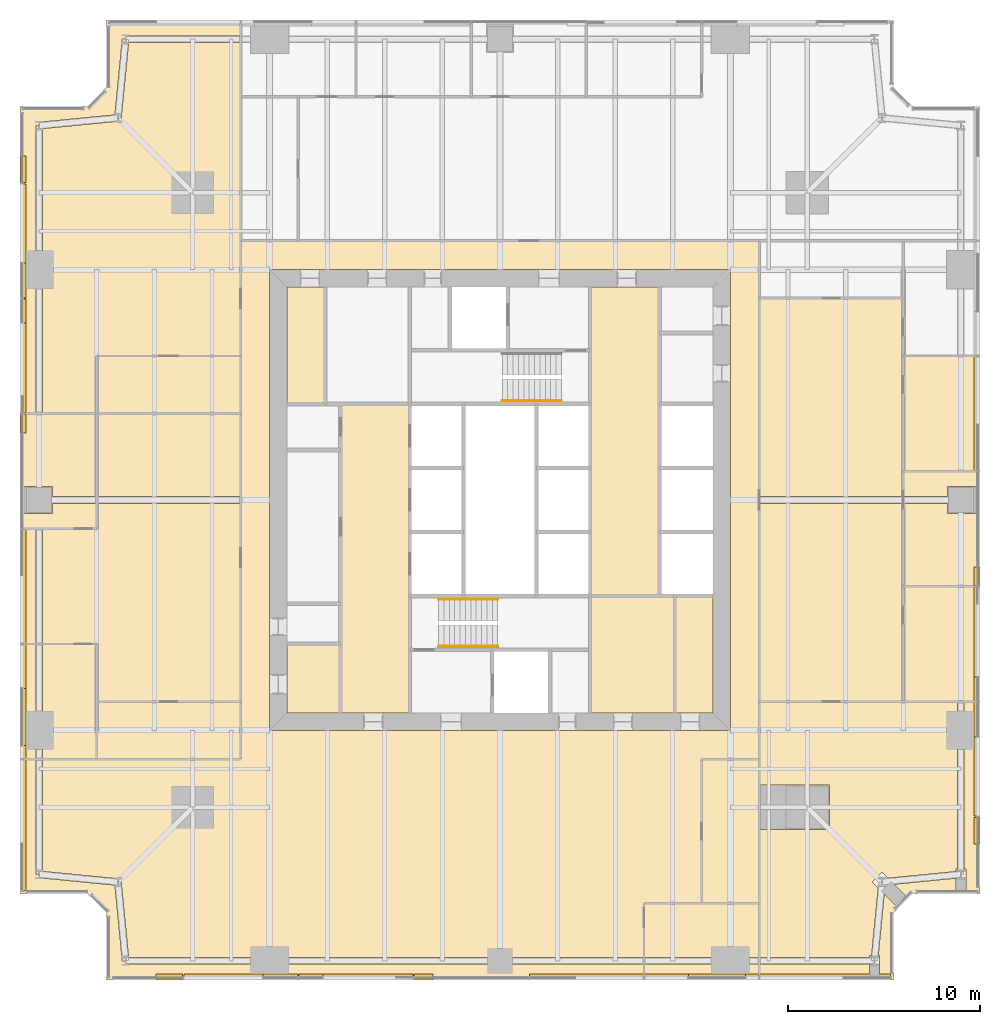
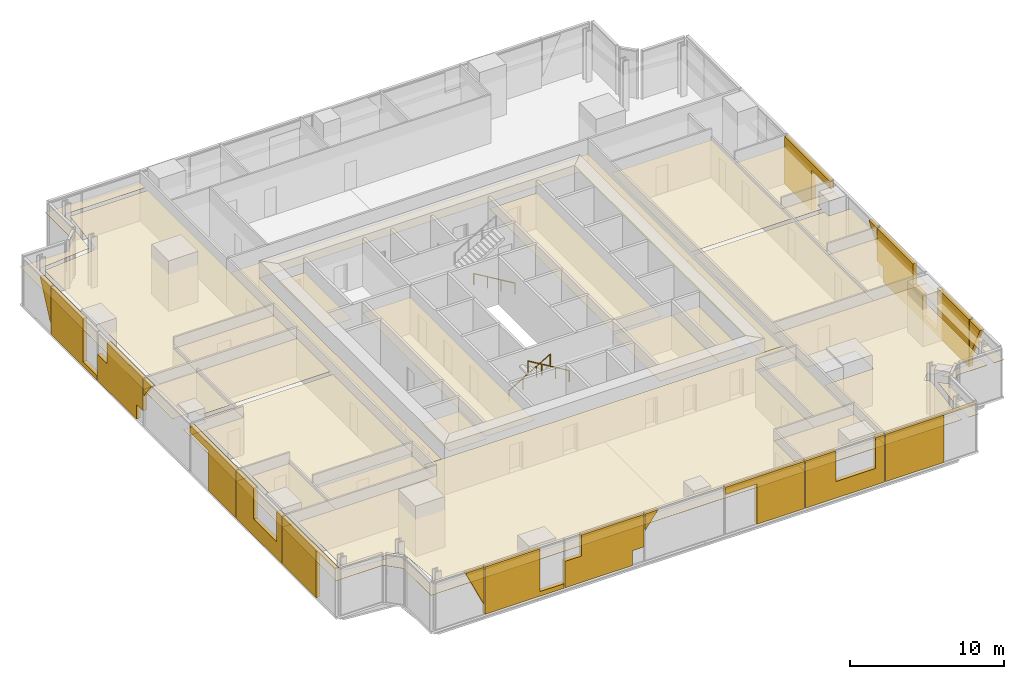
# One storey, part 13 of 14: 53 coverings, 3 railings.
"""IFC4 building model written with IfcOpenShell, lengths in metres."""

from ifc_helpers import new_model, si_unit, direction, frame, origin, origin_2d, place, context, subcontext, project, spatial, polyline, circle, outline, extrude, material, layer, layer_set, type_object, element, save


model = new_model("IFC4")

# Units and contexts
model_context = context("Model", 3, precision=1e-05, world=origin(), true_north=direction((0.0, 1.0)))
body_context = subcontext(model_context, "Body", "Model", "MODEL_VIEW")
ifc_project = project(units=[si_unit("LENGTHUNIT", "METRE"), si_unit("AREAUNIT", "SQUARE_METRE"), si_unit("VOLUMEUNIT", "CUBIC_METRE"), si_unit("PLANEANGLEUNIT", "RADIAN"), si_unit("MASSUNIT", "GRAM", prefix="KILO")], contexts=[model_context])

# Site, building, storey
site_placement = place(None, origin())
site = spatial("IfcSite", under=ifc_project, at=site_placement, CompositionType="ELEMENT")
building_placement = place(site_placement, origin())
building = spatial("IfcBuilding", under=site, at=building_placement, Name="Fenwick Lantern Interchange", CompositionType="ELEMENT")
storey_placement = place(building_placement, frame((0.0, 0.0, 134.39990234375)))
storey = spatial("IfcBuildingStorey", under=building, at=storey_placement, Name="L31", CompositionType="ELEMENT", Elevation=134.39990234375)

# Coverings
ifc_material_1 = material(Name="Mineral fibre acoustic tile on suspended grid")
ifc_layer_1 = layer(ifc_material_1, 0.02001953125)
ifc_layer_set_1 = layer_set([ifc_layer_1], Name="ACOUSTIC TILE CEILING 20")
covering_type_1 = type_object("IfcCoveringType", Name="ACOUSTIC TILE CEILING 20", PredefinedType="CEILING", material=ifc_layer_set_1)
covering_1_placement = place(storey_placement, frame((0.0, 0.0, 2.900146484375)))
element("IfcCovering", 1, at=covering_1_placement, inside=storey, type_object=covering_type_1, Name="Open office ceiling", PredefinedType="CEILING", context=body_context, shape_type="SweptSolid", body=[
    extrude(outline(polyline([(11.5, 11.5), (1.17236328125, 11.5), (1.17236328125, 5.656494140625), (5.11669921875, 5.271484375), (5.10009765625, 5.10009765625), (5.271484375, 5.11669921875), (5.656494140625, 1.17236328125), (13.0, 1.17236328125), (25.0, 1.17236328125), (32.5, 1.17236328125), (32.5, 4.0), (35.5, 4.0), (35.5, 11.5), (38.5, 11.5), (38.5, 13.0), (11.5, 13.0), (11.5, 11.5)])), origin(), (0.0, 0.0, 1.0), 0.02001953125),
])
covering_2_placement = place(storey_placement, frame((0.0, 0.0, 2.900146484375)))
element("IfcCovering", 2, at=covering_2_placement, inside=storey, type_object=covering_type_1, Name="Open office ceiling", PredefinedType="CEILING", context=body_context, shape_type="SweptSolid", body=[
    extrude(outline(polyline([(4.5, 3.5), (4.5, 0.0), (32.5, 0.0), (32.5, 0.82763671875), (25.0, 0.82763671875), (13.0, 0.82763671875), (5.5, 0.82763671875), (5.5, 1.0), (5.328369140625, 0.983154296875), (4.942138671875, 4.942138671875), (0.983154296875, 5.328369140625), (1.0, 5.5), (0.82763671875, 5.5), (0.82763671875, 11.5), (0.0, 11.5), (0.0, 4.5), (3.5, 4.5), (4.5, 3.5)])), origin(), (0.0, 0.0, 1.0), 0.02001953125),
])
covering_3_placement = place(storey_placement, frame((0.0, 0.0, 2.900146484375)))
element("IfcCovering", 3, at=covering_3_placement, inside=storey, type_object=covering_type_1, Name="Meeting room ceiling", PredefinedType="CEILING", context=body_context, shape_type="SweptSolid", body=[
    extrude(outline(polyline([(32.5, 4.0), (32.5, 1.17236328125), (37.0, 1.17236328125), (38.5, 1.17236328125), (38.5, 4.0), (32.5, 4.0)])), origin(), (0.0, 0.0, 1.0), 0.02001953125),
])
covering_4_placement = place(storey_placement, frame((0.0, 0.0, 2.900146484375)))
element("IfcCovering", 4, at=covering_4_placement, inside=storey, type_object=covering_type_1, Name="Meeting room ceiling", PredefinedType="CEILING", context=body_context, shape_type="SweptSolid", body=[
    extrude(outline(polyline([(38.5, 0.0), (38.5, 0.82763671875), (37.0, 0.82763671875), (32.5, 0.82763671875), (32.5, 0.0), (38.5, 0.0)])), origin(), (0.0, 0.0, 1.0), 0.02001953125),
])
covering_5_placement = place(storey_placement, frame((0.0, 0.0, 2.900146484375)))
element("IfcCovering", 5, at=covering_5_placement, inside=storey, type_object=covering_type_1, Name="Office suite ceiling", PredefinedType="CEILING", context=body_context, shape_type="SweptSolid", body=[
    extrude(outline(polyline([(38.5, 24.824951171875), (38.5, 14.5), (46.0, 14.5), (46.0, 24.824951171875), (38.5, 24.824951171875)])), origin(), (0.0, 0.0, 1.0), 0.02001953125),
])
covering_6_placement = place(storey_placement, frame((0.0, 0.0, 2.900146484375)))
element("IfcCovering", 6, at=covering_6_placement, inside=storey, type_object=covering_type_1, Name="Office suite ceiling", PredefinedType="CEILING", context=body_context, shape_type="SweptSolid", body=[
    extrude(outline(polyline([(38.5, 35.5), (38.5, 25.175048828125), (46.0, 25.175048828125), (46.0, 35.5), (38.5, 35.5)])), origin(), (0.0, 0.0, 1.0), 0.02001953125),
])
covering_7_placement = place(storey_placement, frame((0.0, 0.0, 2.900146484375)))
element("IfcCovering", 7, at=covering_7_placement, inside=storey, type_object=covering_type_1, Name="Office ceiling", PredefinedType="CEILING", context=body_context, shape_type="SweptSolid", body=[
    extrude(outline(polyline([(44.23779296875, 1.28759765625), (44.354736328125, 1.28759765625), (44.696044921875, 4.78369140625), (44.379638671875, 5.10009765625), (44.89990234375, 5.620361328125), (45.21630859375, 5.303955078125), (48.73779296875, 5.647705078125), (48.73779296875, 5.78759765625), (48.82763671875, 5.78759765625), (48.82763671875, 13.0), (48.82763671875, 14.5), (38.5, 14.5), (38.5, 10.14990234375), (42.14990234375, 10.14990234375), (42.14990234375, 7.85009765625), (38.5, 7.85009765625), (38.5, 1.17236328125), (44.23779296875, 1.17236328125), (44.23779296875, 1.28759765625)])), origin(), (0.0, 0.0, 1.0), 0.02001953125),
])
covering_8_placement = place(storey_placement, frame((0.0, 0.0, 2.900146484375)))
element("IfcCovering", 8, at=covering_8_placement, inside=storey, type_object=covering_type_1, Name="Office ceiling", PredefinedType="CEILING", context=body_context, shape_type="SweptSolid", body=[
    extrude(outline(polyline([(50.0, 14.5), (49.17236328125, 14.5), (49.17236328125, 13.0), (49.17236328125, 5.78759765625), (49.26220703125, 5.78759765625), (49.26220703125, 4.5), (50.0, 4.5), (50.0, 14.5)])), origin(), (0.0, 0.0, 1.0), 0.02001953125),
])
covering_9_placement = place(storey_placement, frame((0.0, 0.0, 2.900146484375)))
element("IfcCovering", 9, at=covering_9_placement, inside=storey, type_object=covering_type_1, Name="Office ceiling", PredefinedType="CEILING", context=body_context, shape_type="SweptSolid", body=[
    extrude(outline(polyline([(44.23779296875, 0.0), (44.23779296875, 0.82763671875), (38.5, 0.82763671875), (38.5, 0.0), (44.23779296875, 0.0)])), origin(), (0.0, 0.0, 1.0), 0.02001953125),
])
covering_10_placement = place(storey_placement, frame((0.0, 0.0, 2.900146484375)))
element("IfcCovering", 10, at=covering_10_placement, inside=storey, type_object=covering_type_1, Name="Office ceiling", PredefinedType="CEILING", context=body_context, shape_type="SweptSolid", body=[
    extrude(outline(polyline([(44.76220703125, 1.28759765625), (44.76220703125, 0.0), (45.5, 0.0), (45.5, 3.5), (45.73974609375, 3.73974609375), (45.011474609375, 4.468017578125), (44.701171875, 1.28759765625), (44.76220703125, 1.28759765625)])), origin(), (0.0, 0.0, 1.0), 0.02001953125),
])
covering_11_placement = place(storey_placement, frame((0.0, 0.0, 2.900146484375)))
element("IfcCovering", 11, at=covering_11_placement, inside=storey, type_object=covering_type_1, Name="Office ceiling", PredefinedType="CEILING", context=body_context, shape_type="SweptSolid", body=[
    extrude(outline(polyline([(48.73779296875, 4.5), (48.73779296875, 5.30126953125), (45.531982421875, 4.988525390625), (46.26025390625, 4.26025390625), (46.5, 4.5), (48.73779296875, 4.5)])), origin(), (0.0, 0.0, 1.0), 0.02001953125),
])
covering_12_placement = place(storey_placement, frame((0.0, 0.0, 2.8681640625)))
element("IfcCovering", 12, at=covering_12_placement, inside=storey, type_object=covering_type_1, Name="Office ceiling", PredefinedType="CEILING", context=body_context, shape_type="SweptSolid", body=[
    extrude(outline(polyline([(50.0, 14.5), (50.0, 20.5), (46.0, 20.5), (46.0, 14.5), (50.0, 14.5)])), origin(), (0.0, 0.0, 1.0), 0.02001953125),
])
covering_13_placement = place(storey_placement, frame((0.0, 0.0, 2.8681640625)))
element("IfcCovering", 13, at=covering_13_placement, inside=storey, type_object=covering_type_1, Name="Office ceiling", PredefinedType="CEILING", context=body_context, shape_type="SweptSolid", body=[
    extrude(outline(polyline([(46.0, 20.5), (50.0, 20.5), (50.0, 24.300048828125), (48.300048828125, 24.300048828125), (48.300048828125, 24.824951171875), (46.0, 24.824951171875), (46.0, 20.5)])), origin(), (0.0, 0.0, 1.0), 0.02001953125),
])
covering_14_placement = place(storey_placement, frame((0.0, 0.0, 2.8681640625)))
element("IfcCovering", 14, at=covering_14_placement, inside=storey, type_object=covering_type_1, Name="Office ceiling", PredefinedType="CEILING", context=body_context, shape_type="SweptSolid", body=[
    extrude(outline(polyline([(46.0, 26.5), (46.0, 25.175048828125), (48.300048828125, 25.175048828125), (48.300048828125, 25.699951171875), (50.0, 25.699951171875), (50.0, 26.5), (46.0, 26.5)])), origin(), (0.0, 0.0, 1.0), 0.02001953125),
])
covering_15_placement = place(storey_placement, frame((0.0, 0.0, 2.8681640625)))
element("IfcCovering", 15, at=covering_15_placement, inside=storey, type_object=covering_type_1, Name="Office ceiling", PredefinedType="CEILING", context=body_context, shape_type="SweptSolid", body=[
    extrude(outline(polyline([(50.0, 26.5), (50.0, 32.5), (46.0, 32.5), (46.0, 26.5), (50.0, 26.5)])), origin(), (0.0, 0.0, 1.0), 0.02001953125),
])
covering_16_placement = place(storey_placement, frame((0.0, 0.0, 2.900146484375)))
element("IfcCovering", 16, at=covering_16_placement, inside=storey, type_object=covering_type_1, Name="Office suite ceiling", PredefinedType="CEILING", context=body_context, shape_type="SweptSolid", body=[
    extrude(outline(polyline([(1.17236328125, 29.5), (4.0, 29.5), (4.0, 32.5), (11.5, 32.5), (11.5, 48.82763671875), (5.656494140625, 48.82763671875), (5.271484375, 44.88330078125), (5.10009765625, 44.89990234375), (5.11669921875, 44.728515625), (1.17236328125, 44.343505859375), (1.17236328125, 37.0), (1.17236328125, 29.5)])), origin(), (0.0, 0.0, 1.0), 0.02001953125),
])
covering_17_placement = place(storey_placement, frame((0.0, 0.0, 2.900146484375)))
element("IfcCovering", 17, at=covering_17_placement, inside=storey, type_object=covering_type_1, Name="Office suite ceiling", PredefinedType="CEILING", context=body_context, shape_type="SweptSolid", body=[
    extrude(outline(polyline([(0.0, 29.5), (0.82763671875, 29.5), (0.82763671875, 37.0), (0.82763671875, 44.5), (1.0, 44.5), (0.983154296875, 44.671630859375), (4.942138671875, 45.057861328125), (5.328369140625, 49.016845703125), (5.5, 49.0), (5.5, 49.17236328125), (11.5, 49.17236328125), (11.5, 50.0), (4.5, 50.0), (4.5, 46.5), (3.5, 45.5), (0.0, 45.5), (0.0, 29.5)])), origin(), (0.0, 0.0, 1.0), 0.02001953125),
])
covering_18_placement = place(storey_placement, frame((0.0, 0.0, 2.900146484375)))
element("IfcCovering", 18, at=covering_18_placement, inside=storey, type_object=covering_type_1, Name="Meeting room ceiling", PredefinedType="CEILING", context=body_context, shape_type="SweptSolid", body=[
    extrude(outline(polyline([(4.0, 32.5), (4.0, 29.5), (11.5, 29.5), (11.5, 32.5), (4.0, 32.5)])), origin(), (0.0, 0.0, 1.0), 0.02001953125),
])
covering_19_placement = place(storey_placement, frame((0.0, 0.0, 2.900146484375)))
element("IfcCovering", 19, at=covering_19_placement, inside=storey, type_object=covering_type_1, Name="Office suite ceiling", PredefinedType="CEILING", context=body_context, shape_type="SweptSolid", body=[
    extrude(outline(polyline([(4.0, 23.5), (1.17236328125, 23.5), (1.17236328125, 17.5), (4.0, 17.5), (4.0, 14.5), (11.5, 14.5), (11.5, 24.824951171875), (4.0, 24.824951171875), (4.0, 23.5)])), origin(), (0.0, 0.0, 1.0), 0.02001953125),
])
covering_20_placement = place(storey_placement, frame((0.0, 0.0, 2.900146484375)))
element("IfcCovering", 20, at=covering_20_placement, inside=storey, type_object=covering_type_1, Name="Office suite ceiling", PredefinedType="CEILING", context=body_context, shape_type="SweptSolid", body=[
    extrude(outline(polyline([(4.0, 29.5), (4.0, 25.175048828125), (11.5, 25.175048828125), (11.5, 29.5), (4.0, 29.5)])), origin(), (0.0, 0.0, 1.0), 0.02001953125),
])
covering_21_placement = place(storey_placement, frame((0.0, 0.0, 2.900146484375)))
element("IfcCovering", 21, at=covering_21_placement, inside=storey, type_object=covering_type_1, Name="Office suite ceiling", PredefinedType="CEILING", context=body_context, shape_type="SweptSolid", body=[
    extrude(outline(polyline([(0.0, 23.5), (0.0, 17.5), (0.82763671875, 17.5), (0.82763671875, 23.5), (0.0, 23.5)])), origin(), (0.0, 0.0, 1.0), 0.02001953125),
])
covering_22_placement = place(storey_placement, frame((0.0, 0.0, 2.8681640625)))
element("IfcCovering", 22, at=covering_22_placement, inside=storey, type_object=covering_type_1, Name="Office ceiling", PredefinedType="CEILING", context=body_context, shape_type="SweptSolid", body=[
    extrude(outline(polyline([(4.0, 29.5), (0.0, 29.5), (0.0, 25.699951171875), (1.699951171875, 25.699951171875), (1.699951171875, 25.175048828125), (4.0, 25.175048828125), (4.0, 29.5)])), origin(), (0.0, 0.0, 1.0), 0.02001953125),
])
covering_23_placement = place(storey_placement, frame((0.0, 0.0, 2.8681640625)))
element("IfcCovering", 23, at=covering_23_placement, inside=storey, type_object=covering_type_1, Name="Office ceiling", PredefinedType="CEILING", context=body_context, shape_type="SweptSolid", body=[
    extrude(outline(polyline([(4.0, 23.5), (4.0, 24.824951171875), (1.699951171875, 24.824951171875), (1.699951171875, 24.300048828125), (0.0, 24.300048828125), (0.0, 23.5), (4.0, 23.5)])), origin(), (0.0, 0.0, 1.0), 0.02001953125),
])
covering_24_placement = place(storey_placement, frame((0.0, 0.0, 2.900146484375)))
element("IfcCovering", 24, at=covering_24_placement, inside=storey, type_object=covering_type_1, Name="Office ceiling", PredefinedType="CEILING", context=body_context, shape_type="SweptSolid", body=[
    extrude(outline(polyline([(4.0, 17.5), (1.17236328125, 17.5), (1.17236328125, 13.0), (1.17236328125, 11.5), (4.0, 11.5), (4.0, 17.5)])), origin(), (0.0, 0.0, 1.0), 0.02001953125),
])
covering_25_placement = place(storey_placement, frame((0.0, 0.0, 2.900146484375)))
element("IfcCovering", 25, at=covering_25_placement, inside=storey, type_object=covering_type_1, Name="Office ceiling", PredefinedType="CEILING", context=body_context, shape_type="SweptSolid", body=[
    extrude(outline(polyline([(0.0, 11.5), (0.82763671875, 11.5), (0.82763671875, 13.0), (0.82763671875, 17.5), (0.0, 17.5), (0.0, 11.5)])), origin(), (0.0, 0.0, 1.0), 0.02001953125),
])
ifc_material_2 = material(Name="Granite cladding, warm grey flamed finish, on aluminium carrier frame", Category="masonry")
ifc_layer_2 = layer(ifc_material_2, 0.300048828125)
ifc_layer_set_2 = layer_set([ifc_layer_2], Name="BRACE CASING PANEL 300")
covering_type_2 = type_object("IfcCoveringType", Name="BRACE CASING PANEL 300", PredefinedType="CLADDING", material=ifc_layer_set_2)
covering_26_placement = place(storey_placement, frame((4.60009765625, 0.10009765625, 0.822509765625), z_axis=(0.0, 0.0, 1.0), x_axis=(1.0, 0.0, 0.0)))
element("IfcCovering", 26, at=covering_26_placement, inside=storey, type_object=covering_type_2, Name="Brace casing 01 bay 00a", PredefinedType="CLADDING", context=body_context, shape_type="SweptSolid", body=[
    extrude(outline(polyline([(3.867431640625, 0.0), (3.867431640625, 2.927490234375), (2.4951171875, 2.927490234375), (3.867431640625, 0.0)])), frame((0.0, 0.2001953125, 0.0), z_axis=(0.0, -1.0, 0.0), x_axis=(1.0, 0.0, 0.0)), (0.0, 0.0, 1.0), 0.300048828125),
])
covering_27_placement = place(storey_placement, frame((4.60009765625, 0.10009765625, 0.0), z_axis=(0.0, 0.0, 1.0), x_axis=(1.0, 0.0, 0.0)))
element("IfcCovering", 27, at=covering_27_placement, inside=storey, type_object=covering_type_2, Name="Brace casing 01 bay 01a", PredefinedType="CLADDING", context=body_context, shape_type="SweptSolid", body=[
    extrude(outline(polyline([(3.9326171875, 0.0), (9.867431640625, 0.0), (9.867431640625, 0.358154296875), (8.06103515625, 0.358154296875), (8.06103515625, 3.75), (3.9326171875, 3.75), (3.9326171875, 0.0)])), frame((0.0, 0.2001953125, 0.0), z_axis=(0.0, -1.0, 0.0), x_axis=(1.0, 0.0, 0.0)), (0.0, 0.0, 1.0), 0.300048828125),
])
covering_28_placement = place(storey_placement, frame((4.60009765625, 0.10009765625, 0.0), z_axis=(0.0, 0.0, 1.0), x_axis=(1.0, 0.0, 0.0)))
element("IfcCovering", 28, at=covering_28_placement, inside=storey, type_object=covering_type_2, Name="Brace casing 01 bay 02a", PredefinedType="CLADDING", context=body_context, shape_type="SweptSolid", body=[
    extrude(outline(polyline([(9.9326171875, 0.0), (14.984375, 0.0), (14.984375, 1.17333984375), (15.867431640625, 1.17333984375), (15.867431640625, 3.75), (11.172607421875, 3.75), (11.172607421875, 2.0908203125), (9.9326171875, 2.0908203125), (9.9326171875, 0.0)])), frame((0.0, 0.2001953125, 0.0), z_axis=(0.0, -1.0, 0.0), x_axis=(1.0, 0.0, 0.0)), (0.0, 0.0, 1.0), 0.300048828125),
])
covering_29_placement = place(storey_placement, frame((4.60009765625, 0.10009765625, 2.4375), z_axis=(0.0, 0.0, 1.0), x_axis=(1.0, 0.0, 0.0)))
element("IfcCovering", 29, at=covering_29_placement, inside=storey, type_object=covering_type_2, Name="Brace casing 01 bay 03a", PredefinedType="CLADDING", context=body_context, shape_type="SweptSolid", body=[
    extrude(outline(polyline([(15.9326171875, 0.0), (16.9169921875, 1.3125), (15.9326171875, 1.3125), (15.9326171875, 0.0)])), frame((0.0, 0.2001953125, 0.0), z_axis=(0.0, -1.0, 0.0), x_axis=(1.0, 0.0, 0.0)), (0.0, 0.0, 1.0), 0.300048828125),
])
covering_30_placement = place(storey_placement, frame((4.60009765625, 0.10009765625, 0.0), z_axis=(0.0, 0.0, 1.0), x_axis=(1.0, 0.0, 0.0)))
element("IfcCovering", 30, at=covering_30_placement, inside=storey, type_object=covering_type_2, Name="Brace casing 01 bay 04a", PredefinedType="CLADDING", context=body_context, shape_type="SweptSolid", body=[
    extrude(outline(polyline([(24.3125, 0.0), (27.867431640625, 0.0), (27.867431640625, 3.75), (21.9326171875, 3.75), (21.9326171875, 3.177490234375), (24.3125, 3.177490234375), (24.3125, 0.0)])), frame((0.0, 0.2001953125, 0.0), z_axis=(0.0, -1.0, 0.0), x_axis=(1.0, 0.0, 0.0)), (0.0, 0.0, 1.0), 0.300048828125),
])
covering_31_placement = place(storey_placement, frame((4.60009765625, 0.10009765625, 0.0), z_axis=(0.0, 0.0, 1.0), x_axis=(1.0, 0.0, 0.0)))
element("IfcCovering", 31, at=covering_31_placement, inside=storey, type_object=covering_type_2, Name="Brace casing 01 bay 05a", PredefinedType="CLADDING", context=body_context, shape_type="SweptSolid", body=[
    extrude(outline(polyline([(27.9326171875, 0.0), (33.867431640625, 0.0), (33.867431640625, 3.75), (33.18798828125, 3.75), (33.18798828125, 1.316650390625), (30.2080078125, 1.316650390625), (30.2080078125, 3.75), (27.9326171875, 3.75), (27.9326171875, 0.0)])), frame((0.0, 0.2001953125, 0.0), z_axis=(0.0, -1.0, 0.0), x_axis=(1.0, 0.0, 0.0)), (0.0, 0.0, 1.0), 0.300048828125),
])
covering_32_placement = place(storey_placement, frame((4.60009765625, 0.10009765625, 0.0), z_axis=(0.0, 0.0, 1.0), x_axis=(1.0, 0.0, 0.0)))
element("IfcCovering", 32, at=covering_32_placement, inside=storey, type_object=covering_type_2, Name="Brace casing 01 bay 06a", PredefinedType="CLADDING", context=body_context, shape_type="SweptSolid", body=[
    extrude(outline(polyline([(33.9326171875, 0.0), (38.302001953125, 0.0), (38.302001953125, 3.744140625), (40.735107421875, 3.744140625), (40.735107421875, 3.75), (33.9326171875, 3.75), (33.9326171875, 0.0)])), frame((0.0, 0.2001953125, 0.0), z_axis=(0.0, -1.0, 0.0), x_axis=(1.0, 0.0, 0.0)), (0.0, 0.0, 1.0), 0.300048828125),
])
covering_33_placement = place(storey_placement, frame((49.89990234375, 4.60009765625, 0.822509765625), z_axis=(0.0, 0.0, 1.0), x_axis=(0.0, 1.0, 0.0)))
element("IfcCovering", 33, at=covering_33_placement, inside=storey, type_object=covering_type_2, Name="Brace casing 05 bay 00a", PredefinedType="CLADDING", context=body_context, shape_type="SweptSolid", body=[
    extrude(outline(polyline([(3.867431640625, 0.0), (3.867431640625, 2.927490234375), (2.4951171875, 2.927490234375), (3.867431640625, 0.0)])), frame((0.0, 0.2001953125, 0.0), z_axis=(0.0, -1.0, 0.0), x_axis=(1.0, 0.0, 0.0)), (0.0, 0.0, 1.0), 0.300048828125),
])
covering_34_placement = place(storey_placement, frame((49.89990234375, 4.60009765625, 0.0), z_axis=(0.0, 0.0, 1.0), x_axis=(0.0, 1.0, 0.0)))
element("IfcCovering", 34, at=covering_34_placement, inside=storey, type_object=covering_type_2, Name="Brace casing 05 bay 01a", PredefinedType="CLADDING", context=body_context, shape_type="SweptSolid", body=[
    extrude(outline(polyline([(3.9326171875, 0.0), (9.867431640625, 0.0), (9.867431640625, 0.358154296875), (8.06103515625, 0.358154296875), (8.06103515625, 3.75), (3.9326171875, 3.75), (3.9326171875, 0.0)])), frame((0.0, 0.2001953125, 0.0), z_axis=(0.0, -1.0, 0.0), x_axis=(1.0, 0.0, 0.0)), (0.0, 0.0, 1.0), 0.300048828125),
])
covering_35_placement = place(storey_placement, frame((49.89990234375, 4.60009765625, 0.0), z_axis=(0.0, 0.0, 1.0), x_axis=(0.0, 1.0, 0.0)))
element("IfcCovering", 35, at=covering_35_placement, inside=storey, type_object=covering_type_2, Name="Brace casing 05 bay 02a", PredefinedType="CLADDING", context=body_context, shape_type="SweptSolid", body=[
    extrude(outline(polyline([(9.9326171875, 0.0), (14.984375, 0.0), (14.984375, 1.17333984375), (15.867431640625, 1.17333984375), (15.867431640625, 3.75), (11.172607421875, 3.75), (11.172607421875, 2.0908203125), (9.9326171875, 2.0908203125), (9.9326171875, 0.0)])), frame((0.0, 0.2001953125, 0.0), z_axis=(0.0, -1.0, 0.0), x_axis=(1.0, 0.0, 0.0)), (0.0, 0.0, 1.0), 0.300048828125),
])
covering_36_placement = place(storey_placement, frame((49.89990234375, 4.60009765625, 2.4375), z_axis=(0.0, 0.0, 1.0), x_axis=(0.0, 1.0, 0.0)))
element("IfcCovering", 36, at=covering_36_placement, inside=storey, type_object=covering_type_2, Name="Brace casing 05 bay 03a", PredefinedType="CLADDING", context=body_context, shape_type="SweptSolid", body=[
    extrude(outline(polyline([(15.9326171875, 0.0), (16.9169921875, 1.3125), (15.9326171875, 1.3125), (15.9326171875, 0.0)])), frame((0.0, 0.2001953125, 0.0), z_axis=(0.0, -1.0, 0.0), x_axis=(1.0, 0.0, 0.0)), (0.0, 0.0, 1.0), 0.300048828125),
])
covering_37_placement = place(storey_placement, frame((49.89990234375, 4.60009765625, 0.0), z_axis=(0.0, 0.0, 1.0), x_axis=(0.0, 1.0, 0.0)))
element("IfcCovering", 37, at=covering_37_placement, inside=storey, type_object=covering_type_2, Name="Brace casing 05 bay 04a", PredefinedType="CLADDING", context=body_context, shape_type="SweptSolid", body=[
    extrude(outline(polyline([(24.3125, 0.0), (27.867431640625, 0.0), (27.867431640625, 3.75), (21.9326171875, 3.75), (21.9326171875, 3.177490234375), (24.3125, 3.177490234375), (24.3125, 0.0)])), frame((0.0, 0.2001953125, 0.0), z_axis=(0.0, -1.0, 0.0), x_axis=(1.0, 0.0, 0.0)), (0.0, 0.0, 1.0), 0.300048828125),
])
covering_38_placement = place(storey_placement, frame((0.10009765625, 45.39990234375, 0.822509765625), z_axis=(0.0, 0.0, 1.0), x_axis=(0.0, -1.0, 0.0)))
element("IfcCovering", 38, at=covering_38_placement, inside=storey, type_object=covering_type_2, Name="Brace casing 13 bay 00a", PredefinedType="CLADDING", context=body_context, shape_type="SweptSolid", body=[
    extrude(outline(polyline([(3.867431640625, 0.0), (3.867431640625, 2.927490234375), (2.4951171875, 2.927490234375), (3.867431640625, 0.0)])), frame((0.0, 0.2001953125, 0.0), z_axis=(0.0, -1.0, 0.0), x_axis=(1.0, 0.0, 0.0)), (0.0, 0.0, 1.0), 0.300048828125),
])
covering_39_placement = place(storey_placement, frame((0.10009765625, 45.39990234375, 0.0), z_axis=(0.0, 0.0, 1.0), x_axis=(0.0, -1.0, 0.0)))
element("IfcCovering", 39, at=covering_39_placement, inside=storey, type_object=covering_type_2, Name="Brace casing 13 bay 01a", PredefinedType="CLADDING", context=body_context, shape_type="SweptSolid", body=[
    extrude(outline(polyline([(3.9326171875, 0.0), (9.867431640625, 0.0), (9.867431640625, 0.358154296875), (8.06103515625, 0.358154296875), (8.06103515625, 3.75), (3.9326171875, 3.75), (3.9326171875, 0.0)])), frame((0.0, 0.2001953125, 0.0), z_axis=(0.0, -1.0, 0.0), x_axis=(1.0, 0.0, 0.0)), (0.0, 0.0, 1.0), 0.300048828125),
])
covering_40_placement = place(storey_placement, frame((0.10009765625, 45.39990234375, 0.0), z_axis=(0.0, 0.0, 1.0), x_axis=(0.0, -1.0, 0.0)))
element("IfcCovering", 40, at=covering_40_placement, inside=storey, type_object=covering_type_2, Name="Brace casing 13 bay 02a", PredefinedType="CLADDING", context=body_context, shape_type="SweptSolid", body=[
    extrude(outline(polyline([(9.9326171875, 0.0), (14.984375, 0.0), (14.984375, 1.17333984375), (15.867431640625, 1.17333984375), (15.867431640625, 3.75), (11.172607421875, 3.75), (11.172607421875, 2.0908203125), (9.9326171875, 2.0908203125), (9.9326171875, 0.0)])), frame((0.0, 0.2001953125, 0.0), z_axis=(0.0, -1.0, 0.0), x_axis=(1.0, 0.0, 0.0)), (0.0, 0.0, 1.0), 0.300048828125),
])
covering_41_placement = place(storey_placement, frame((0.10009765625, 45.39990234375, 2.4375), z_axis=(0.0, 0.0, 1.0), x_axis=(0.0, -1.0, 0.0)))
element("IfcCovering", 41, at=covering_41_placement, inside=storey, type_object=covering_type_2, Name="Brace casing 13 bay 03a", PredefinedType="CLADDING", context=body_context, shape_type="SweptSolid", body=[
    extrude(outline(polyline([(15.9326171875, 0.0), (16.9169921875, 1.3125), (15.9326171875, 1.3125), (15.9326171875, 0.0)])), frame((0.0, 0.2001953125, 0.0), z_axis=(0.0, -1.0, 0.0), x_axis=(1.0, 0.0, 0.0)), (0.0, 0.0, 1.0), 0.300048828125),
])
covering_42_placement = place(storey_placement, frame((0.10009765625, 45.39990234375, 0.0), z_axis=(0.0, 0.0, 1.0), x_axis=(0.0, -1.0, 0.0)))
element("IfcCovering", 42, at=covering_42_placement, inside=storey, type_object=covering_type_2, Name="Brace casing 13 bay 04a", PredefinedType="CLADDING", context=body_context, shape_type="SweptSolid", body=[
    extrude(outline(polyline([(24.3125, 0.0), (27.867431640625, 0.0), (27.867431640625, 3.75), (21.9326171875, 3.75), (21.9326171875, 3.177490234375), (24.3125, 3.177490234375), (24.3125, 0.0)])), frame((0.0, 0.2001953125, 0.0), z_axis=(0.0, -1.0, 0.0), x_axis=(1.0, 0.0, 0.0)), (0.0, 0.0, 1.0), 0.300048828125),
])
covering_43_placement = place(storey_placement, frame((0.10009765625, 45.39990234375, 0.0), z_axis=(0.0, 0.0, 1.0), x_axis=(0.0, -1.0, 0.0)))
element("IfcCovering", 43, at=covering_43_placement, inside=storey, type_object=covering_type_2, Name="Brace casing 13 bay 05a", PredefinedType="CLADDING", context=body_context, shape_type="SweptSolid", body=[
    extrude(outline(polyline([(27.9326171875, 0.0), (33.867431640625, 0.0), (33.867431640625, 3.75), (33.18798828125, 3.75), (33.18798828125, 1.316650390625), (30.2080078125, 1.316650390625), (30.2080078125, 3.75), (27.9326171875, 3.75), (27.9326171875, 0.0)])), frame((0.0, 0.2001953125, 0.0), z_axis=(0.0, -1.0, 0.0), x_axis=(1.0, 0.0, 0.0)), (0.0, 0.0, 1.0), 0.300048828125),
])
covering_44_placement = place(storey_placement, frame((0.10009765625, 45.39990234375, 0.0), z_axis=(0.0, 0.0, 1.0), x_axis=(0.0, -1.0, 0.0)))
element("IfcCovering", 44, at=covering_44_placement, inside=storey, type_object=covering_type_2, Name="Brace casing 13 bay 06a", PredefinedType="CLADDING", context=body_context, shape_type="SweptSolid", body=[
    extrude(outline(polyline([(33.9326171875, 0.0), (38.302001953125, 0.0), (38.302001953125, 3.744140625), (40.735107421875, 3.744140625), (40.735107421875, 3.75), (33.9326171875, 3.75), (33.9326171875, 0.0)])), frame((0.0, 0.2001953125, 0.0), z_axis=(0.0, -1.0, 0.0), x_axis=(1.0, 0.0, 0.0)), (0.0, 0.0, 1.0), 0.300048828125),
])

# Railings
ifc_material_3 = material(Name="Stainless steel handrail", Category="steel")
railing_type = type_object("IfcRailingType", Name="HANDRAIL 900", PredefinedType="HANDRAIL", material=ifc_material_3)
railing_placement = place(storey_placement, frame((21.800048828125, 19.825927734375, 0.166748046875)))
element("IfcRailing", 45, at=railing_placement, inside=storey, type_object=railing_type, Name="L31/STAIR/ST1/HR1", PredefinedType="HANDRAIL", context=body_context, shape_type="SweptSolid", body=[
    extrude(circle(Radius=0.02392578125, at=origin_2d()), frame((0.0, 0.0, 0.8759765625), z_axis=(0.859290745958, 0.0, 0.51148745235), x_axis=(0.0, 1.0, 0.0)), (0.0, 0.0, 1.0), 3.584228515625),
    extrude(circle(Radius=0.02099609375, at=origin_2d()), origin(), (0.0, 0.0, 1.0), 0.851806640625),
    extrude(circle(Radius=0.02099609375, at=origin_2d()), frame((1.026611328125, 0.0, 0.611083984375)), (0.0, 0.0, 1.0), 0.851806640625),
    extrude(circle(Radius=0.02099609375, at=origin_2d()), frame((2.05322265625, 0.0, 1.22216796875)), (0.0, 0.0, 1.0), 0.851806640625),
    extrude(circle(Radius=0.02099609375, at=origin_2d()), frame((3.079833984375, 0.0, 1.833251953125)), (0.0, 0.0, 1.0), 0.851806640625),
])
for number, where, name in (
    (46, (24.8798828125, 17.3740234375, 2.166748046875), "L31/STAIR/ST1/HR2"),
    (47, (28.199951171875, 30.174072265625, 0.166748046875), "L31/STAIR/ST2/HR1"),
):
    element("IfcRailing", number, at=place(storey_placement, frame(where)), inside=storey, type_object=railing_type, Name=name, PredefinedType="HANDRAIL", context=body_context, shape_type="SweptSolid", body=[
        extrude(circle(Radius=0.02392578125, at=origin_2d()), frame((0.0, 0.0, 0.8759765625), z_axis=(-0.859290745958, 0.0, 0.51148745235), x_axis=(0.0, -1.0, 0.0)), (0.0, 0.0, 1.0), 3.584228515625),
        extrude(circle(Radius=0.02099609375, at=origin_2d()), origin(), (0.0, 0.0, 1.0), 0.851806640625),
        extrude(circle(Radius=0.02099609375, at=origin_2d()), frame((-1.026611328125, 0.0, 0.611083984375)), (0.0, 0.0, 1.0), 0.851806640625),
        extrude(circle(Radius=0.02099609375, at=origin_2d()), frame((-2.05322265625, 0.0, 1.22216796875)), (0.0, 0.0, 1.0), 0.851806640625),
        extrude(circle(Radius=0.02099609375, at=origin_2d()), frame((-3.079833984375, 0.0, 1.833251953125)), (0.0, 0.0, 1.0), 0.851806640625),
    ])

# Coverings
ifc_material_4 = material(Name="Moisture resistant gypsum board on suspended frame, painted")
ifc_layer_3 = layer(ifc_material_4, 0.014892578125)
ifc_layer_set_3 = layer_set([ifc_layer_3], Name="MOISTURE RESISTANT CEILING 15")
covering_type_3 = type_object("IfcCoveringType", Name="MOISTURE RESISTANT CEILING 15", PredefinedType="CEILING", material=ifc_layer_set_3)
covering_45_placement = place(storey_placement, frame((0.0, 0.0, 2.60009765625)))
element("IfcCovering", 48, at=covering_45_placement, inside=storey, type_object=covering_type_3, Name="Women's WC ceiling", PredefinedType="CEILING", context=body_context, shape_type="SweptSolid", body=[
    extrude(outline(polyline([(29.699951171875, 13.89990234375), (34.10009765625, 13.89990234375), (34.10009765625, 20.0), (29.699951171875, 20.0), (29.699951171875, 13.89990234375)])), origin(), (0.0, 0.0, 1.0), 0.014892578125),
])
covering_46_placement = place(storey_placement, frame((0.0, 0.0, 2.60009765625)))
element("IfcCovering", 49, at=covering_46_placement, inside=storey, type_object=covering_type_3, Name="Men's WC ceiling", PredefinedType="CEILING", context=body_context, shape_type="SweptSolid", body=[
    extrude(outline(polyline([(34.10009765625, 13.89990234375), (36.10009765625, 13.89990234375), (36.10009765625, 20.0), (34.10009765625, 20.0), (34.10009765625, 13.89990234375)])), origin(), (0.0, 0.0, 1.0), 0.014892578125),
])
covering_47_placement = place(storey_placement, frame((0.0, 0.0, 2.60009765625)))
element("IfcCovering", 50, at=covering_47_placement, inside=storey, type_object=covering_type_3, Name="Accessible WC and shower ceiling", PredefinedType="CEILING", context=body_context, shape_type="SweptSolid", body=[
    extrude(outline(polyline([(13.89990234375, 13.89990234375), (16.699951171875, 13.89990234375), (16.699951171875, 17.5), (13.89990234375, 17.5), (13.89990234375, 13.89990234375)])), origin(), (0.0, 0.0, 1.0), 0.014892578125),
])
covering_48_placement = place(storey_placement, frame((0.0, 0.0, 2.60009765625)))
element("IfcCovering", 51, at=covering_48_placement, inside=storey, type_object=covering_type_3, Name="Men's WC ceiling", PredefinedType="CEILING", context=body_context, shape_type="SweptSolid", body=[
    extrude(outline(polyline([(15.89990234375, 36.10009765625), (13.89990234375, 36.10009765625), (13.89990234375, 30.0), (15.89990234375, 30.0), (15.89990234375, 36.10009765625)])), origin(), (0.0, 0.0, 1.0), 0.014892578125),
])
covering_49_placement = place(storey_placement, frame((0.0, 0.0, 2.7001953125)))
element("IfcCovering", 52, at=covering_49_placement, inside=storey, type_object=covering_type_3, Name="Pantry ceiling", PredefinedType="CEILING", context=body_context, shape_type="SweptSolid", body=[
    extrude(outline(polyline([(35.5, 4.0), (38.5, 4.0), (38.5, 11.5), (35.5, 11.5), (35.5, 4.0)])), origin(), (0.0, 0.0, 1.0), 0.014892578125),
])
covering_50_placement = place(storey_placement, frame((0.0, 0.0, 2.7001953125)))
element("IfcCovering", 53, at=covering_50_placement, inside=storey, type_object=covering_type_3, Name="Pantry ceiling", PredefinedType="CEILING", context=body_context, shape_type="SweptSolid", body=[
    extrude(outline(polyline([(4.0, 14.5), (4.0, 11.5), (11.5, 11.5), (11.5, 14.5), (4.0, 14.5)])), origin(), (0.0, 0.0, 1.0), 0.014892578125),
])
ifc_material_5 = material(Name="Gypsum plasterboard on suspended frame, painted")
ifc_layer_4 = layer(ifc_material_5, 0.014892578125)
ifc_layer_set_4 = layer_set([ifc_layer_4], Name="PLASTERBOARD CEILING 15")
covering_type_4 = type_object("IfcCoveringType", Name="PLASTERBOARD CEILING 15", PredefinedType="CEILING", material=ifc_layer_set_4)
covering_51_placement = place(storey_placement, frame((0.0, 0.0, 2.800048828125)))
element("IfcCovering", 54, at=covering_51_placement, inside=storey, type_object=covering_type_4, Name="Lift lobby ceiling", PredefinedType="CEILING", context=body_context, shape_type="SweptSolid", body=[
    extrude(outline(polyline([(16.699951171875, 13.89990234375), (20.300048828125, 13.89990234375), (20.300048828125, 30.0), (16.699951171875, 30.0), (16.699951171875, 13.89990234375)])), origin(), (0.0, 0.0, 1.0), 0.01513671875),
])
covering_52_placement = place(storey_placement, frame((0.0, 0.0, 2.800048828125)))
element("IfcCovering", 55, at=covering_52_placement, inside=storey, type_object=covering_type_4, Name="Lift lobby ceiling", PredefinedType="CEILING", context=body_context, shape_type="SweptSolid", body=[
    extrude(outline(polyline([(33.300048828125, 36.10009765625), (29.699951171875, 36.10009765625), (29.699951171875, 20.0), (33.300048828125, 20.0), (33.300048828125, 36.10009765625)])), origin(), (0.0, 0.0, 1.0), 0.01513671875),
])
covering_53_placement = place(storey_placement, frame((0.0, 0.0, 2.60009765625)))
element("IfcCovering", 56, at=covering_53_placement, inside=storey, type_object=covering_type_4, Name="Corridor ceiling", PredefinedType="CEILING", context=body_context, shape_type="SweptSolid", body=[
    extrude(outline(polyline([(38.5, 38.5), (11.5, 38.5), (11.5, 13.0), (13.0, 13.0), (13.0, 37.0), (37.0, 37.0), (37.0, 13.0), (38.5, 13.0), (38.5, 38.5)])), origin(), (0.0, 0.0, 1.0), 0.014892578125),
])

save(model, "model.ifc")
